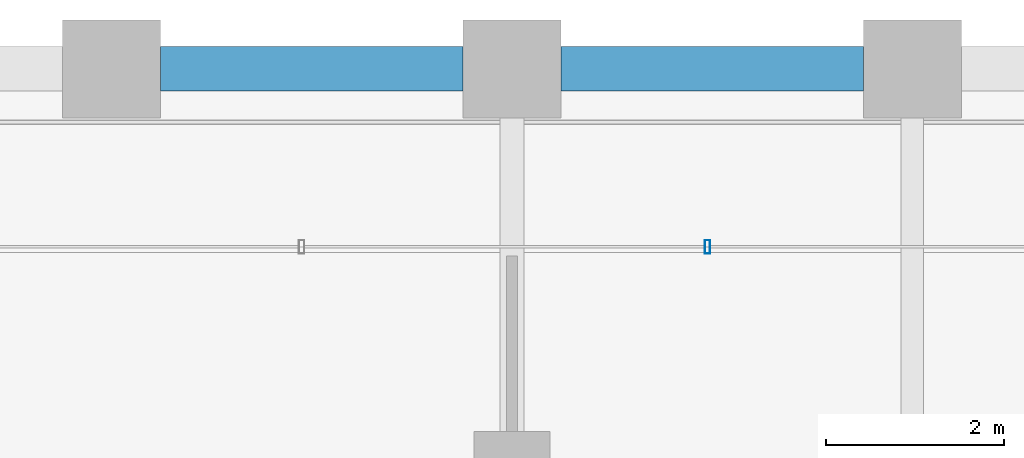
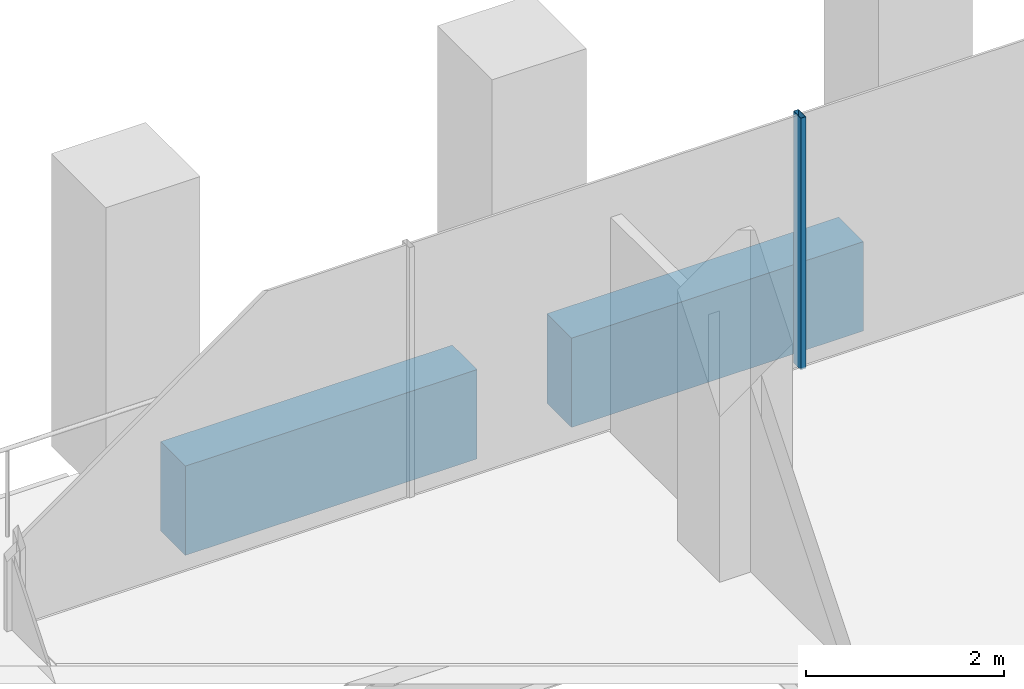
# One storey, part 27 of 54: 2 beams, 1 member, 1 element without a shape of its own.
"""IFC4 building model written with IfcOpenShell, lengths in metres."""

from ifc_helpers import new_model, si_unit, direction, frame, origin, origin_2d, place, context, subcontext, project, spatial, rectangle, hollow_rectangle, extrude, material, material_profile, profile_set, type_object, element, aggregate, save


model = new_model("IFC4")

# Units and contexts
model_context = context("Model", 3, precision=1e-05, world=origin(), true_north=direction((0.0, 1.0)))
body_context = subcontext(model_context, "Body", "Model", "MODEL_VIEW")
ifc_project = project(units=[si_unit("LENGTHUNIT", "METRE"), si_unit("AREAUNIT", "SQUARE_METRE"), si_unit("VOLUMEUNIT", "CUBIC_METRE"), si_unit("PLANEANGLEUNIT", "RADIAN"), si_unit("MASSUNIT", "GRAM", prefix="KILO")], contexts=[model_context])

# Site, building, storey
site_placement = place(None, origin())
site = spatial("IfcSite", under=ifc_project, at=site_placement, CompositionType="ELEMENT")
building_placement = place(site_placement, origin())
building = spatial("IfcBuilding", under=site, at=building_placement, Name="Altepetl Exchange Towers", CompositionType="ELEMENT")
storey_placement = place(building_placement, frame((0.0, 0.0, 61.800048828125)))
storey = spatial("IfcBuildingStorey", under=building, at=storey_placement, Name="L14", CompositionType="ELEMENT", Elevation=61.800048828125)

# Curtain wall, member
ifc_material_1 = material(Name="Aluminium 6063-T6 glazing", Category="aluminium")
curtain_wall_type = type_object("IfcCurtainWallType", Name="Loggia glazing system", PredefinedType="NOTDEFINED", material=ifc_material_1)
curtain_wall_placement = place(storey_placement, origin())
curtain_wall = element("IfcCurtainWall", 1, at=curtain_wall_placement, inside=storey, type_object=curtain_wall_type, Name="CW1 run", PredefinedType="NOTDEFINED")
ifc_material_2 = material(Name="Aluminium 6063-T6", Category="aluminium")
ifc_material_profile_1 = material_profile(ifc_material_2, hollow_rectangle(XDim=0.06005859375, YDim=0.14990234375, WallThickness=0.0029296875, at=origin_2d()), Name="Mullion 60x150 aluminium")
ifc_profile_set_1 = profile_set([ifc_material_profile_1], Name="Aluminium 6063-T6")
member_type = type_object("IfcMemberType", Name="Mullion 60x150 aluminium", PredefinedType="MULLION", material=ifc_profile_set_1)
member_placement = place(storey_placement, frame((42.696533203125, 70.0, 0.0), z_axis=(0.0, 0.0, 1.0), x_axis=(-1.0, 0.0, 0.0)))
member = element("IfcMember", 2, at=member_placement, type_object=member_type, Name="MU1 mullion", PredefinedType="MULLION", context=body_context, shape_type="SweptSolid", body=[
    extrude(hollow_rectangle(XDim=0.06005859375, YDim=0.14990234375, WallThickness=0.0029296875, at=origin_2d()), origin(), (0.0, 0.0, 1.0), 3.099853515625),
])
aggregate(curtain_wall, [member])

# Beams
ifc_material_3 = material(Name="Concrete C50/60 precast with cantera rosa facing", Category="concrete")
ifc_material_profile_2 = material_profile(ifc_material_3, rectangle(XDim=0.5, YDim=1.10009765625, at=origin_2d()), Name="500 x 1100")
ifc_profile_set_2 = profile_set([ifc_material_profile_2], Name="Concrete C50/60 precast with cantera rosa facing")
beam_type_1 = type_object("IfcBeamType", Name="Spandrel beam 500x1100 cantera rosa", PredefinedType="SPANDREL", material=ifc_profile_set_2)
beam_1_placement = place(storey_placement, frame((44.449951171875, 72.0, -0.699951171875), z_axis=(-1.0, 0.0, 0.0), x_axis=(0.0, -1.0, 0.0)))
element("IfcBeam", 3, at=beam_1_placement, inside=storey, type_object=beam_type_1, Name="sp:A:L14:029", PredefinedType="SPANDREL", context=body_context, shape_type="SweptSolid", body=[
    extrude(rectangle(XDim=0.5, YDim=1.10009765625, at=origin_2d()), origin(), (0.0, 0.0, 1.0), 3.39990234375),
])
ifc_material_4 = material(Name="Concrete C50/60 precast with tezontle facing", Category="concrete")
ifc_material_profile_3 = material_profile(ifc_material_4, rectangle(XDim=0.5, YDim=1.10009765625, at=origin_2d()), Name="500 x 1100")
ifc_profile_set_3 = profile_set([ifc_material_profile_3], Name="Concrete C50/60 precast with tezontle facing")
beam_type_2 = type_object("IfcBeamType", Name="Spandrel beam 500x1100 tezontle", PredefinedType="SPANDREL", material=ifc_profile_set_3)
beam_2_placement = place(storey_placement, frame((39.949951171875, 72.0, -0.699951171875), z_axis=(-1.0, 0.0, 0.0), x_axis=(0.0, -1.0, 0.0)))
element("IfcBeam", 4, at=beam_2_placement, inside=storey, type_object=beam_type_2, Name="sp:A:L14:030", PredefinedType="SPANDREL", context=body_context, shape_type="SweptSolid", body=[
    extrude(rectangle(XDim=0.5, YDim=1.10009765625, at=origin_2d()), origin(), (0.0, 0.0, 1.0), 3.39990234375),
])

save(model, "model.ifc")
